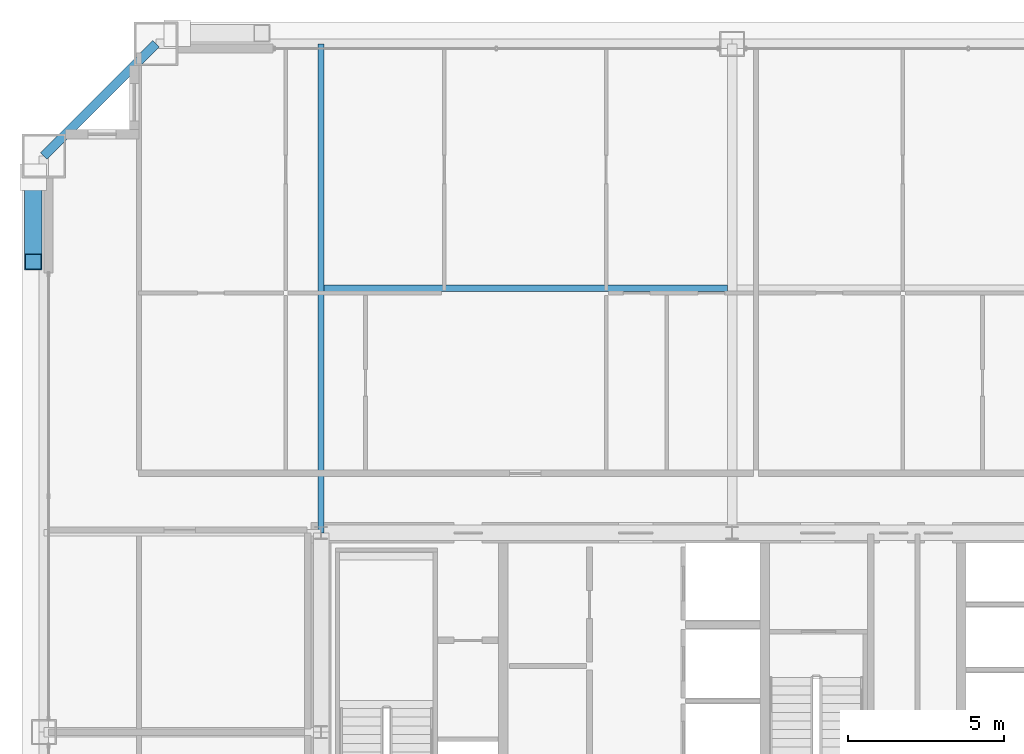
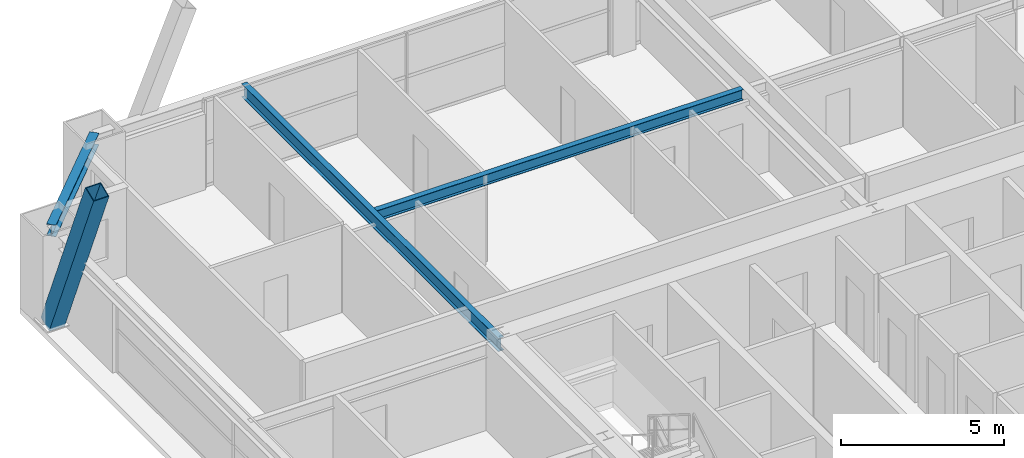
# One storey, part 30 of 45: 3 beams, 1 member.
"""IFC4 building model written with IfcOpenShell, lengths in metres."""

from ifc_helpers import new_model, si_unit, direction, frame, origin, origin_2d, place, context, subcontext, project, spatial, hollow_rectangle, i_section, extrude, source, transform, mapped, material, material_profile, profile_set, type_object, element, save


model = new_model("IFC4")

# Units and contexts
model_context = context("Model", 3, precision=1e-05, world=origin(), true_north=direction((0.0, 1.0)))
body_context = subcontext(model_context, "Body", "Model", "MODEL_VIEW")
ifc_project = project(units=[si_unit("LENGTHUNIT", "METRE"), si_unit("AREAUNIT", "SQUARE_METRE"), si_unit("VOLUMEUNIT", "CUBIC_METRE"), si_unit("PLANEANGLEUNIT", "RADIAN"), si_unit("MASSUNIT", "GRAM", prefix="KILO"), si_unit("THERMODYNAMICTEMPERATUREUNIT", "KELVIN"), si_unit("POWERUNIT", "WATT")], contexts=[model_context])

# Site, building, storey
site_placement = place(None, origin())
site = spatial("IfcSite", under=ifc_project, at=site_placement, CompositionType="ELEMENT")
building_placement = place(site_placement, origin())
building = spatial("IfcBuilding", under=site, at=building_placement, Name="Yuzanri Waterfront Tower", CompositionType="ELEMENT")
storey_placement = place(building_placement, frame((0.0, 0.0, 191.5)))
storey = spatial("IfcBuildingStorey", under=building, at=storey_placement, Name="L50", CompositionType="ELEMENT", Elevation=191.5)

# Beams
ifc_material_1 = material(Name="Steel Q355B", Category="steel")
ifc_material_profile_1 = material_profile(ifc_material_1, i_section(OverallWidth=0.199951171875, OverallDepth=0.39990234375, WebThickness=0.008056640625, FlangeThickness=0.012939453125, at=origin_2d()), Name="HN 400x200x8x13")
ifc_profile_set_1 = profile_set([ifc_material_profile_1], Name="Steel Q355B")
beam_type_1 = type_object("IfcBeamType", Name="Floor Joist Q355B HN 400x200", PredefinedType="JOIST", material=ifc_profile_set_1)
shared_shape_1 = source(origin(), body_context, "Body", "SweptSolid", [
    extrude(i_section(OverallWidth=0.199951171875, OverallDepth=0.39990234375, WebThickness=0.008056640625, FlangeThickness=0.012939453125, at=origin_2d()), origin(), (0.0, 0.0, 1.0), 12.9501953125),
])
beam_1_placement = place(storey_placement, frame((23.89990234375, 40.050048828125, 3.080078125), z_axis=(1.0, 0.0, 0.0), x_axis=(0.0, 1.0, 0.0)))
element("IfcBeam", 1, at=beam_1_placement, inside=storey, type_object=beam_type_1, Name="L50 North Bay Joist W", PredefinedType="JOIST", context=body_context, shape_type="MappedRepresentation", body=[
    mapped(shared_shape_1, transform((0.0, 0.0, 0.0), scale=1.0)),
])
ifc_material_2 = material(Name="Steel Q355B", Category="steel")
ifc_material_profile_2 = material_profile(ifc_material_2, i_section(OverallWidth=0.300048828125, OverallDepth=0.43994140625, WebThickness=0.010986328125, FlangeThickness=0.01806640625, at=origin_2d()), Name="HM 440x300x11x18")
ifc_profile_set_2 = profile_set([ifc_material_profile_2], Name="Steel Q355B")
beam_type_2 = type_object("IfcBeamType", Name="Perimeter Spandrel Q355B HM 440x300", PredefinedType="SPANDREL", material=ifc_profile_set_2)
shared_shape_2 = source(origin(), body_context, "Body", "SweptSolid", [
    extrude(i_section(OverallWidth=0.300048828125, OverallDepth=0.43994140625, WebThickness=0.010986328125, FlangeThickness=0.01806640625, at=origin_2d()), origin(), (0.0, 0.0, 1.0), 5.091064453125),
])
beam_2_placement = place(storey_placement, frame((18.5, 47.89990234375, 3.06005859375), z_axis=(-0.707130757816, -0.707082803744, 0.0), x_axis=(0.707082803744, -0.707130757816, 0.0)))
element("IfcBeam", 2, at=beam_2_placement, inside=storey, type_object=beam_type_2, Name="L50 Perimeter Spandrel N1-W3", PredefinedType="SPANDREL", context=body_context, shape_type="MappedRepresentation", body=[
    mapped(shared_shape_2, transform((0.0, 0.0, 0.0), scale=1.0)),
])
ifc_material_3 = material(Name="Steel Q355B", Category="steel")
ifc_material_profile_3 = material_profile(ifc_material_3, i_section(OverallWidth=0.199951171875, OverallDepth=0.5, WebThickness=0.010009765625, FlangeThickness=0.01611328125, at=origin_2d()), Name="HN 500x200x10x16")
ifc_profile_set_3 = profile_set([ifc_material_profile_3], Name="Steel Q355B")
beam_type_3 = type_object("IfcBeamType", Name="Secondary Floor Beam Q355B HN 500x200", PredefinedType="BEAM", material=ifc_profile_set_3)
shared_shape_3 = source(origin(), body_context, "Body", "SweptSolid", [
    extrude(i_section(OverallWidth=0.199951171875, OverallDepth=0.5, WebThickness=0.010009765625, FlangeThickness=0.01611328125, at=origin_2d()), origin(), (0.0, 0.0, 1.0), 15.699951171875),
])
beam_3_placement = place(storey_placement, frame((23.800048828125, 32.199951171875, 3.030029296875), z_axis=(0.0, 1.0, 0.0), x_axis=(-1.0, 0.0, 0.0)))
element("IfcBeam", 3, at=beam_3_placement, inside=storey, type_object=beam_type_3, Name="L50 North-West Core Line Beam", PredefinedType="BEAM", context=body_context, shape_type="MappedRepresentation", body=[
    mapped(shared_shape_3, transform((0.0, 0.0, 0.0), scale=1.0)),
])

# Member
ifc_material_4 = material(Name="Steel Q390GJC", Category="steel")
ifc_material_profile_4 = material_profile(ifc_material_4, hollow_rectangle(XDim=0.550048828125, YDim=0.550048828125, WallThickness=0.02490234375, at=origin_2d()), Name="RHS 550x550x25")
ifc_profile_set_4 = profile_set([ifc_material_profile_4], Name="Steel Q390GJC")
member_type = type_object("IfcMemberType", Name="Mega Brace Mid Q390GJC RHS 550x550x25", PredefinedType="BRACE", material=ifc_profile_set_4)
shared_shape_4 = source(origin(), body_context, "Body", "SweptSolid", [
    extrude(hollow_rectangle(XDim=0.550048828125, YDim=0.550048828125, WallThickness=0.02490234375, at=origin_2d()), origin(), (0.0, 0.0, 1.0), 7.046142578125),
])
member_placement = place(storey_placement, frame((14.56005859375, 43.6201171875, 0.179931640625), z_axis=(0.0, -0.386051696808, 0.922477147355), x_axis=(1.0, 0.0, 0.0)))
element("IfcMember", 4, at=member_placement, inside=storey, type_object=member_type, Name="L50-L51 Perimeter Mega-Brace W-R", PredefinedType="BRACE", context=body_context, shape_type="MappedRepresentation", body=[
    mapped(shared_shape_4, transform((0.0, 0.0, 0.0), scale=1.0)),
])

save(model, "model.ifc")
